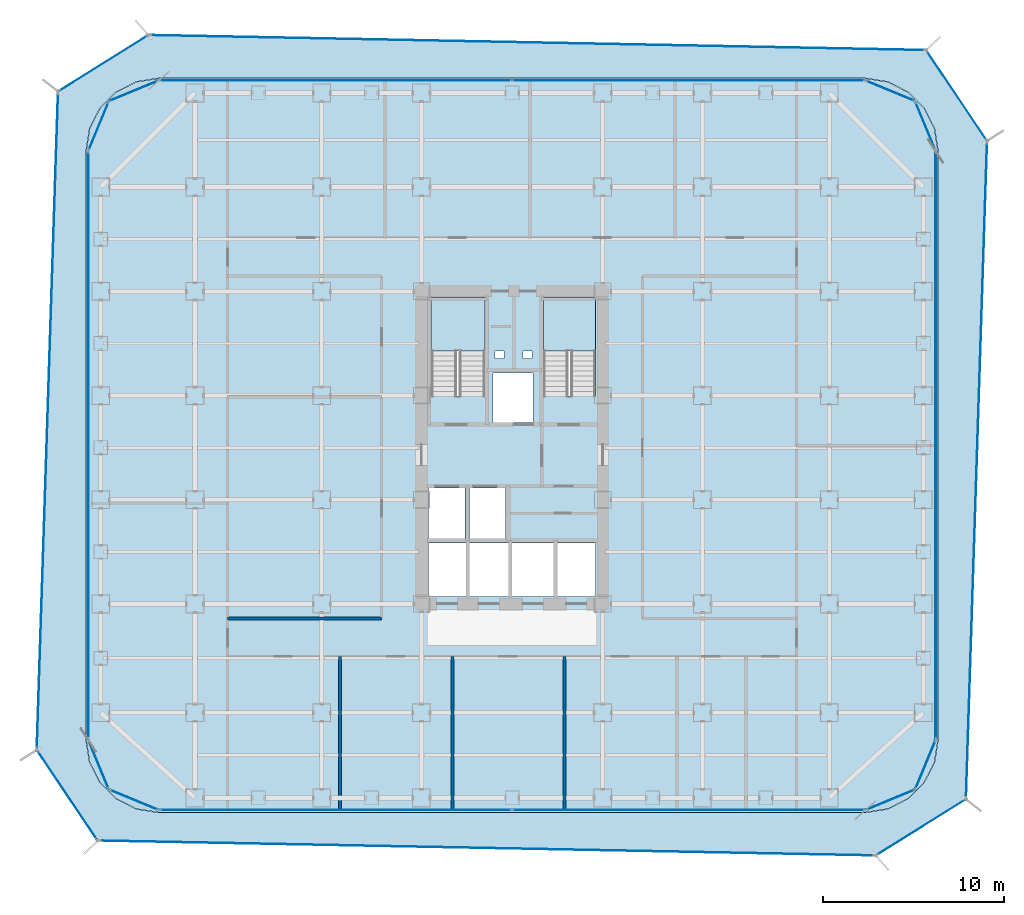
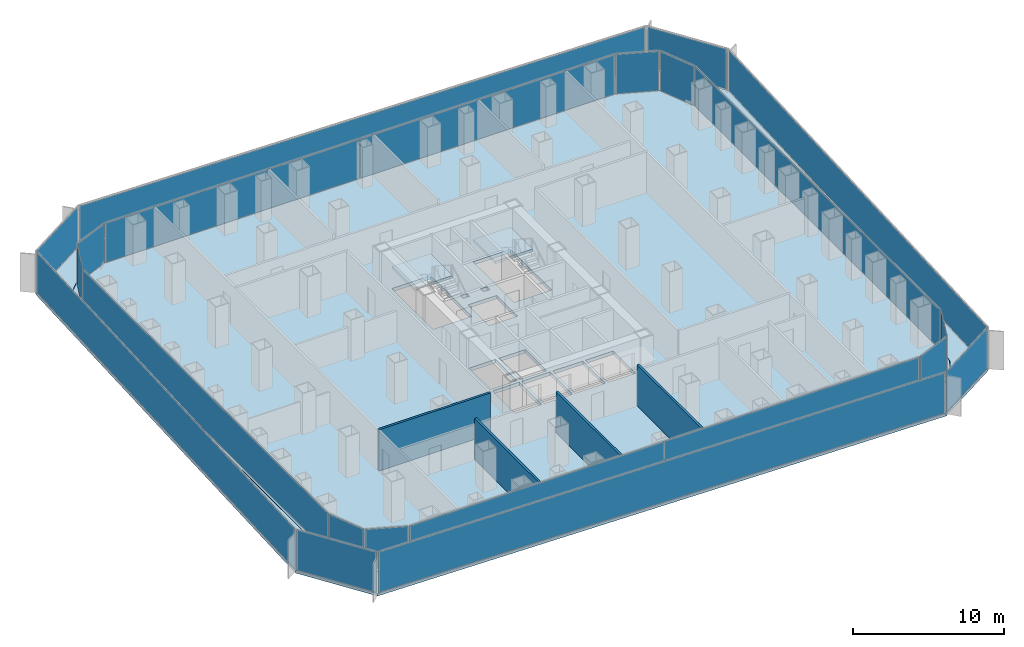
# One storey, part 16 of 22: 22 plates, 4 slabs, 4 walls, 22 elements without a shape of their own.
"""IFC4 building model written with IfcOpenShell, lengths in metres."""

from ifc_helpers import new_model, si_unit, direction, frame, frame_2d, origin, origin_2d, place, context, subcontext, project, spatial, polyline, rectangle, outline, extrude, source, transform, mapped, material, layer, layer_set, type_object, element, aggregate, save


model = new_model("IFC4")

# Units and contexts
model_context = context("Model", 3, precision=1e-05, world=origin(), true_north=direction((0.0, 1.0)))
body_context = subcontext(model_context, "Body", "Model", "MODEL_VIEW")
ifc_project = project(units=[si_unit("LENGTHUNIT", "METRE"), si_unit("AREAUNIT", "SQUARE_METRE"), si_unit("VOLUMEUNIT", "CUBIC_METRE"), si_unit("PLANEANGLEUNIT", "RADIAN"), si_unit("MASSUNIT", "GRAM", prefix="KILO")], contexts=[model_context])

# Site, building, storey
site_placement = place(None, origin())
site = spatial("IfcSite", under=ifc_project, at=site_placement, CompositionType="ELEMENT")
building_placement = place(site_placement, origin())
building = spatial("IfcBuilding", under=site, at=building_placement, Name="Kolveth Station Tower", CompositionType="ELEMENT")
storey_placement = place(building_placement, frame((0.0, 0.0, 69.300048828125)))
storey = spatial("IfcBuildingStorey", under=building, at=storey_placement, Name="L18", CompositionType="ELEMENT", Elevation=69.300048828125)

# Slab
ifc_material_1 = material(Name="Concrete C45/55", Category="concrete")
ifc_layer_1 = layer(ifc_material_1, 0.280029296875)
ifc_layer_set_1 = layer_set([ifc_layer_1], Name="Concrete C45/55")
slab_type_1 = type_object("IfcSlabType", Name="Slab_SF-280", PredefinedType="FLOOR", material=ifc_layer_set_1)
slab_1_placement = place(storey_placement, frame((0.0, 0.0, -0.280029296875)))
element("IfcSlab", 1, at=slab_1_placement, inside=storey, type_object=slab_type_1, Name="L18 Tower Structural Floor Slab", PredefinedType="FLOOR", context=body_context, shape_type="SweptSolid", body=[
    extrude(outline(polyline([(43.0, 0.0), (44.236083984375, 0.19580078125), (45.35107421875, 0.763916015625), (46.236083984375, 1.64892578125), (46.80419921875, 2.763916015625), (47.0, 4.0), (47.0, 36.5), (46.80419921875, 37.736083984375), (46.236083984375, 38.85107421875), (45.35107421875, 39.736083984375), (44.236083984375, 40.30419921875), (43.0, 40.5), (4.0, 40.5), (2.763916015625, 40.30419921875), (1.64892578125, 39.736083984375), (0.763916015625, 38.85107421875), (0.19580078125, 37.736083984375), (0.0, 36.5), (0.0, 4.0), (0.19580078125, 2.763916015625), (0.763916015625, 1.64892578125), (1.64892578125, 0.763916015625), (2.763916015625, 0.19580078125), (4.0, 0.0), (43.0, 0.0)]), holes=[polyline([(19.0400390625, 22.985107421875), (22.0, 22.985107421875), (22.0, 28.39990234375), (19.0400390625, 28.39990234375), (19.0400390625, 22.985107421875)]), polyline([(25.239990234375, 22.985107421875), (28.10009765625, 22.985107421875), (28.10009765625, 28.39990234375), (25.239990234375, 28.39990234375), (25.239990234375, 22.985107421875)]), polyline([(18.89990234375, 15.10009765625), (20.89990234375, 15.10009765625), (20.89990234375, 17.89990234375), (18.89990234375, 17.89990234375), (18.89990234375, 15.10009765625)]), polyline([(21.14990234375, 15.10009765625), (23.14990234375, 15.10009765625), (23.14990234375, 17.89990234375), (21.14990234375, 17.89990234375), (21.14990234375, 15.10009765625)]), polyline([(22.449951171875, 21.5), (24.64990234375, 21.5), (24.64990234375, 24.25), (22.449951171875, 24.25), (22.449951171875, 21.5)]), polyline([(18.89990234375, 11.89990234375), (20.949951171875, 11.89990234375), (20.949951171875, 14.85009765625), (18.89990234375, 14.85009765625), (18.89990234375, 11.89990234375)]), polyline([(21.14990234375, 11.89990234375), (23.300048828125, 11.89990234375), (23.300048828125, 14.85009765625), (21.14990234375, 14.85009765625), (21.14990234375, 11.89990234375)]), polyline([(23.5, 11.89990234375), (25.800048828125, 11.89990234375), (25.800048828125, 14.85009765625), (23.5, 14.85009765625), (23.5, 11.89990234375)]), polyline([(26.0, 11.89990234375), (28.10009765625, 11.89990234375), (28.10009765625, 14.85009765625), (26.0, 14.85009765625), (26.0, 11.89990234375)]), polyline([(22.550048828125, 25.050048828125), (23.050048828125, 25.050048828125), (23.050048828125, 25.449951171875), (22.550048828125, 25.449951171875), (22.550048828125, 25.050048828125)]), polyline([(24.10009765625, 25.050048828125), (24.60009765625, 25.050048828125), (24.60009765625, 25.449951171875), (24.10009765625, 25.449951171875), (24.10009765625, 25.050048828125)])]), origin(), (0.0, 0.0, 1.0), 0.280029296875),
])

# Stair, slab
ifc_material_2 = material(Name="Concrete C40/50", Category="concrete")
stair_type_1 = type_object("IfcStairType", Name="Stair_ST2", PredefinedType="HALF_TURN_STAIR", material=ifc_material_2)
stair_1_placement = place(storey_placement, origin())
stair_1 = element("IfcStair", 2, at=stair_1_placement, inside=storey, type_object=stair_type_1, Name="L18 Tower Exit Stair ST2", PredefinedType="HALF_TURN_STAIR")
ifc_layer_2 = layer(ifc_material_2, 0.18994140625)
ifc_layer_set_2 = layer_set([ifc_layer_2], Name="Concrete C40/50")
slab_type_2 = type_object("IfcSlabType", Name="Slab_SL-190", PredefinedType="LANDING", material=ifc_layer_set_2)
slab_2_placement = place(storey_placement, frame((0.0, 0.0, 1.599853515625)))
slab_2 = element("IfcSlab", 3, at=slab_2_placement, type_object=slab_type_2, Name="ST2 landing 1", PredefinedType="LANDING", context=body_context, shape_type="SweptSolid", body=[
    extrude(outline(polyline([(28.10009765625, 25.469970703125), (28.10009765625, 28.39990234375), (25.239990234375, 28.39990234375), (25.239990234375, 25.469970703125), (28.10009765625, 25.469970703125)])), origin(), (0.0, 0.0, 1.0), 0.2001953125),
])
aggregate(stair_1, [slab_2])

stair_type_2 = type_object("IfcStairType", Name="Stair_ST1", PredefinedType="HALF_TURN_STAIR", material=ifc_material_2)
stair_2_placement = place(storey_placement, origin())
stair_2 = element("IfcStair", 4, at=stair_2_placement, inside=storey, type_object=stair_type_2, Name="L18 Tower Exit Stair ST1", PredefinedType="HALF_TURN_STAIR")
ifc_layer_3 = layer(ifc_material_2, 0.205078125)
ifc_layer_set_3 = layer_set([ifc_layer_3], Name="Concrete C40/50")
slab_type_3 = type_object("IfcSlabType", Name="Slab_SL-205", PredefinedType="LANDING", material=ifc_layer_set_3)
slab_3_placement = place(storey_placement, frame((0.0, 0.0, 1.599853515625)))
slab_3 = element("IfcSlab", 5, at=slab_3_placement, type_object=slab_type_3, Name="ST1 landing 1", PredefinedType="LANDING", context=body_context, shape_type="SweptSolid", body=[
    extrude(outline(polyline([(22.0, 25.469970703125), (22.0, 28.39990234375), (19.0400390625, 28.39990234375), (19.0400390625, 25.469970703125), (22.0, 25.469970703125)])), origin(), (0.0, 0.0, 1.0), 0.2001953125),
])
aggregate(stair_2, [slab_3])

# Slab
ifc_layer_4 = layer(ifc_material_2, 0.2099609375)
ifc_layer_set_4 = layer_set([ifc_layer_4], Name="Concrete C40/50")
slab_type_4 = type_object("IfcSlabType", Name="Slab_ST-210", PredefinedType="FLOOR", material=ifc_layer_set_4)
slab_4_placement = place(storey_placement, frame((0.0, 0.0, -0.2099609375)))
element("IfcSlab", 6, at=slab_4_placement, inside=storey, type_object=slab_type_4, Name="L18 Double-Skin Cavity Structural Ledger Ring", PredefinedType="FLOOR", context=body_context, shape_type="SweptSolid", body=[
    extrude(outline(polyline([(0.642578125, -1.56201171875), (-2.72412109375, 3.448486328125), (-1.549072265625, 39.775390625), (3.431396484375, 42.88916015625), (46.35498046875, 42.05810546875), (49.717529296875, 37.05078125), (48.55078125, 0.723388671875), (43.56787109375, -2.38330078125), (0.642578125, -1.56201171875)]), holes=[polyline([(43.002197265625, -0.014892578125), (44.23828125, 0.180908203125), (44.242919921875, 0.182373046875), (45.35791015625, 0.75048828125), (45.36181640625, 0.75341796875), (46.24658203125, 1.63818359375), (46.24951171875, 1.64208984375), (46.817626953125, 2.757080078125), (46.819091796875, 2.76171875), (47.014892578125, 3.997802734375), (47.014892578125, 4.0), (47.014892578125, 36.5), (47.014892578125, 36.502197265625), (46.819091796875, 37.73828125), (46.817626953125, 37.742919921875), (46.24951171875, 38.85791015625), (46.24658203125, 38.86181640625), (45.36181640625, 39.74658203125), (45.35791015625, 39.74951171875), (44.242919921875, 40.317626953125), (44.23828125, 40.319091796875), (43.002197265625, 40.514892578125), (43.0, 40.514892578125), (4.0, 40.514892578125), (3.997802734375, 40.514892578125), (2.76171875, 40.319091796875), (2.757080078125, 40.317626953125), (1.64208984375, 39.74951171875), (1.63818359375, 39.74658203125), (0.75341796875, 38.86181640625), (0.75048828125, 38.85791015625), (0.182373046875, 37.742919921875), (0.180908203125, 37.73828125), (-0.014892578125, 36.502197265625), (-0.014892578125, 36.5), (-0.014892578125, 4.0), (-0.014892578125, 3.997802734375), (0.180908203125, 2.76171875), (0.182373046875, 2.757080078125), (0.75048828125, 1.64208984375), (0.75341796875, 1.63818359375), (1.63818359375, 0.75341796875), (1.64208984375, 0.75048828125), (2.757080078125, 0.182373046875), (2.76171875, 0.180908203125), (3.997802734375, -0.014892578125), (4.0, -0.014892578125), (43.0, -0.014892578125), (43.002197265625, -0.014892578125)])]), origin(), (0.0, 0.0, 1.0), 0.2099609375),
])

# Curtain wall, plate
ifc_material_3 = material(Name="Aluminium 6063-T6 and low-E dark glass", Category="aluminium")
ifc_layer_5 = layer(ifc_material_3, 0.179931640625)
ifc_layer_set_5 = layer_set([ifc_layer_5], Name="Aluminium 6063-T6 and low-E dark glass")
curtain_wall_type_1 = type_object("IfcCurtainWallType", Name="CurtainWall_CW-Z1", PredefinedType="NOTDEFINED", material=ifc_layer_set_5)
curtain_wall_1_placement = place(storey_placement, origin())
curtain_wall_1 = element("IfcCurtainWall", 7, at=curtain_wall_1_placement, inside=storey, type_object=curtain_wall_type_1, Name="L18 Inner Thermal Curtain Wall 1", PredefinedType="NOTDEFINED")
ifc_material_4 = material(Name="Architectural low-E dark glass", Category="glass")
ifc_layer_6 = layer(ifc_material_4, 0.035888671875)
ifc_layer_set_6 = layer_set([ifc_layer_6], Name="Architectural low-E dark glass")
plate_type_1 = type_object("IfcPlateType", Name="Panel_GL1", PredefinedType="CURTAIN_PANEL", material=ifc_layer_set_6)
shared_shape_1 = source(origin(), body_context, "Body", "SweptSolid", [
    extrude(rectangle(XDim=2.83349609375, YDim=0.035888671875, at=origin_2d()), origin(), (0.0, 0.0, 1.0), 3.18408203125),
])
plate_1_placement = place(storey_placement, frame((44.371826171875, 0.688232421875, 0.06787109375), z_axis=(0.0, 0.0, 1.0), x_axis=(0.923883857728, 0.382672990201, 0.0)))
plate_1 = element("IfcPlate", 8, at=plate_1_placement, type_object=plate_type_1, Name="CW-Z1 panel 1.1", PredefinedType="CURTAIN_PANEL", context=body_context, shape_type="MappedRepresentation", body=[
    mapped(shared_shape_1, transform((0.0, 0.0, 0.0), x_axis=(1.0, 0.0, 0.0), y_axis=(0.0, 1.0, 0.0), z_axis=(0.0, 0.0, 1.0), scale=1.0)),
])
aggregate(curtain_wall_1, [plate_1])

curtain_wall_2_placement = place(storey_placement, origin())
curtain_wall_2 = element("IfcCurtainWall", 9, at=curtain_wall_2_placement, inside=storey, type_object=curtain_wall_type_1, Name="L18 Inner Thermal Curtain Wall 2", PredefinedType="NOTDEFINED")
plate_2_placement = place(storey_placement, frame((46.311767578125, 2.628173828125, 0.06787109375), z_axis=(0.0, 0.0, 1.0), x_axis=(0.382672990201, 0.923883857728, 0.0)))
plate_2 = element("IfcPlate", 10, at=plate_2_placement, type_object=plate_type_1, Name="CW-Z1 panel 1.1", PredefinedType="CURTAIN_PANEL", context=body_context, shape_type="MappedRepresentation", body=[
    mapped(shared_shape_1, transform((0.0, 0.0, 0.0), x_axis=(1.0, 0.0, 0.0), y_axis=(0.0, 1.0, 0.0), z_axis=(0.0, 0.0, 1.0), scale=1.0)),
])
aggregate(curtain_wall_2, [plate_2])

curtain_wall_3_placement = place(storey_placement, origin())
curtain_wall_3 = element("IfcCurtainWall", 11, at=curtain_wall_3_placement, inside=storey, type_object=curtain_wall_type_1, Name="L18 Inner Thermal Curtain Wall 4", PredefinedType="NOTDEFINED")
plate_3_placement = place(storey_placement, frame((46.311767578125, 37.871826171875, 0.06787109375), z_axis=(0.0, 0.0, 1.0), x_axis=(-0.382672990201, 0.923883857728, 0.0)))
plate_3 = element("IfcPlate", 12, at=plate_3_placement, type_object=plate_type_1, Name="CW-Z1 panel 1.1", PredefinedType="CURTAIN_PANEL", context=body_context, shape_type="MappedRepresentation", body=[
    mapped(shared_shape_1, transform((0.0, 0.0, 0.0), x_axis=(1.0, 0.0, 0.0), y_axis=(0.0, 1.0, 0.0), z_axis=(0.0, 0.0, 1.0), scale=1.0)),
])
aggregate(curtain_wall_3, [plate_3])

curtain_wall_4_placement = place(storey_placement, origin())
curtain_wall_4 = element("IfcCurtainWall", 13, at=curtain_wall_4_placement, inside=storey, type_object=curtain_wall_type_1, Name="L18 Inner Thermal Curtain Wall 5", PredefinedType="NOTDEFINED")
plate_4_placement = place(storey_placement, frame((44.371826171875, 39.811767578125, 0.06787109375), z_axis=(0.0, 0.0, 1.0), x_axis=(-0.923883857728, 0.382672990201, 0.0)))
plate_4 = element("IfcPlate", 14, at=plate_4_placement, type_object=plate_type_1, Name="CW-Z1 panel 1.1", PredefinedType="CURTAIN_PANEL", context=body_context, shape_type="MappedRepresentation", body=[
    mapped(shared_shape_1, transform((0.0, 0.0, 0.0), x_axis=(1.0, 0.0, 0.0), y_axis=(0.0, 1.0, 0.0), z_axis=(0.0, 0.0, 1.0), scale=1.0)),
])
aggregate(curtain_wall_4, [plate_4])

curtain_wall_5_placement = place(storey_placement, origin())
curtain_wall_5 = element("IfcCurtainWall", 15, at=curtain_wall_5_placement, inside=storey, type_object=curtain_wall_type_1, Name="L18 Inner Thermal Curtain Wall 7", PredefinedType="NOTDEFINED")
plate_5_placement = place(storey_placement, frame((2.628173828125, 39.811767578125, 0.06787109375), z_axis=(0.0, 0.0, 1.0), x_axis=(-0.923883857728, -0.382672990201, 0.0)))
plate_5 = element("IfcPlate", 16, at=plate_5_placement, type_object=plate_type_1, Name="CW-Z1 panel 1.1", PredefinedType="CURTAIN_PANEL", context=body_context, shape_type="MappedRepresentation", body=[
    mapped(shared_shape_1, transform((0.0, 0.0, 0.0), x_axis=(1.0, 0.0, 0.0), y_axis=(0.0, 1.0, 0.0), z_axis=(0.0, 0.0, 1.0), scale=1.0)),
])
aggregate(curtain_wall_5, [plate_5])

curtain_wall_6_placement = place(storey_placement, origin())
curtain_wall_6 = element("IfcCurtainWall", 17, at=curtain_wall_6_placement, inside=storey, type_object=curtain_wall_type_1, Name="L18 Inner Thermal Curtain Wall 8", PredefinedType="NOTDEFINED")
plate_6_placement = place(storey_placement, frame((0.688232421875, 37.871826171875, 0.06787109375), z_axis=(0.0, 0.0, 1.0), x_axis=(-0.382672990201, -0.923883857728, 0.0)))
plate_6 = element("IfcPlate", 18, at=plate_6_placement, type_object=plate_type_1, Name="CW-Z1 panel 1.1", PredefinedType="CURTAIN_PANEL", context=body_context, shape_type="MappedRepresentation", body=[
    mapped(shared_shape_1, transform((0.0, 0.0, 0.0), x_axis=(1.0, 0.0, 0.0), y_axis=(0.0, 1.0, 0.0), z_axis=(0.0, 0.0, 1.0), scale=1.0)),
])
aggregate(curtain_wall_6, [plate_6])

curtain_wall_7_placement = place(storey_placement, origin())
curtain_wall_7 = element("IfcCurtainWall", 19, at=curtain_wall_7_placement, inside=storey, type_object=curtain_wall_type_1, Name="L18 Inner Thermal Curtain Wall 10", PredefinedType="NOTDEFINED")
plate_7_placement = place(storey_placement, frame((0.688232421875, 2.628173828125, 0.06787109375), z_axis=(0.0, 0.0, 1.0), x_axis=(0.382672990201, -0.923883857728, 0.0)))
plate_7 = element("IfcPlate", 20, at=plate_7_placement, type_object=plate_type_1, Name="CW-Z1 panel 1.1", PredefinedType="CURTAIN_PANEL", context=body_context, shape_type="MappedRepresentation", body=[
    mapped(shared_shape_1, transform((0.0, 0.0, 0.0), x_axis=(1.0, 0.0, 0.0), y_axis=(0.0, 1.0, 0.0), z_axis=(0.0, 0.0, 1.0), scale=1.0)),
])
aggregate(curtain_wall_7, [plate_7])

curtain_wall_8_placement = place(storey_placement, origin())
curtain_wall_8 = element("IfcCurtainWall", 21, at=curtain_wall_8_placement, inside=storey, type_object=curtain_wall_type_1, Name="L18 Inner Thermal Curtain Wall 11", PredefinedType="NOTDEFINED")
plate_8_placement = place(storey_placement, frame((2.628173828125, 0.688232421875, 0.06787109375), z_axis=(0.0, 0.0, 1.0), x_axis=(0.923883857728, -0.382672990201, 0.0)))
plate_8 = element("IfcPlate", 22, at=plate_8_placement, type_object=plate_type_1, Name="CW-Z1 panel 1.1", PredefinedType="CURTAIN_PANEL", context=body_context, shape_type="MappedRepresentation", body=[
    mapped(shared_shape_1, transform((0.0, 0.0, 0.0), x_axis=(1.0, 0.0, 0.0), y_axis=(0.0, 1.0, 0.0), z_axis=(0.0, 0.0, 1.0), scale=1.0)),
])
aggregate(curtain_wall_8, [plate_8])

curtain_wall_9_placement = place(storey_placement, origin())
curtain_wall_9 = element("IfcCurtainWall", 23, at=curtain_wall_9_placement, inside=storey, type_object=curtain_wall_type_1, Name="L18 Inner Thermal Curtain Wall 3", PredefinedType="NOTDEFINED")
shared_shape_2 = source(origin(), body_context, "Body", "SweptSolid", [
    extrude(rectangle(XDim=32.364013671875, YDim=0.035888671875, at=origin_2d()), origin(), (0.0, 0.0, 1.0), 3.18408203125),
])
plate_9_placement = place(storey_placement, frame((46.8798828125, 20.25, 0.06787109375), z_axis=(0.0, 0.0, 1.0), x_axis=(0.0, 1.0, 0.0)))
plate_9 = element("IfcPlate", 24, at=plate_9_placement, type_object=plate_type_1, Name="CW-Z1 panel 1.1", PredefinedType="CURTAIN_PANEL", context=body_context, shape_type="MappedRepresentation", body=[
    mapped(shared_shape_2, transform((0.0, 0.0, 0.0), x_axis=(1.0, 0.0, 0.0), y_axis=(0.0, 1.0, 0.0), z_axis=(0.0, 0.0, 1.0), scale=1.0)),
])
aggregate(curtain_wall_9, [plate_9])

curtain_wall_10_placement = place(storey_placement, origin())
curtain_wall_10 = element("IfcCurtainWall", 25, at=curtain_wall_10_placement, inside=storey, type_object=curtain_wall_type_1, Name="L18 Inner Thermal Curtain Wall 9", PredefinedType="NOTDEFINED")
plate_10_placement = place(storey_placement, frame((0.1201171875, 20.25, 0.06787109375), z_axis=(0.0, 0.0, 1.0), x_axis=(0.0, -1.0, 0.0)))
plate_10 = element("IfcPlate", 26, at=plate_10_placement, type_object=plate_type_1, Name="CW-Z1 panel 1.1", PredefinedType="CURTAIN_PANEL", context=body_context, shape_type="MappedRepresentation", body=[
    mapped(shared_shape_2, transform((0.0, 0.0, 0.0), x_axis=(1.0, 0.0, 0.0), y_axis=(0.0, 1.0, 0.0), z_axis=(0.0, 0.0, 1.0), scale=1.0)),
])
aggregate(curtain_wall_10, [plate_10])

# Curtain wall, plates
curtain_wall_11_placement = place(storey_placement, origin())
curtain_wall_11 = element("IfcCurtainWall", 27, at=curtain_wall_11_placement, inside=storey, type_object=curtain_wall_type_1, Name="L18 Inner Thermal Curtain Wall 6", PredefinedType="NOTDEFINED")
shared_shape_3 = source(origin(), body_context, "Body", "SweptSolid", [
    extrude(rectangle(XDim=19.401611328125, YDim=0.035888671875, at=origin_2d()), origin(), (0.0, 0.0, 1.0), 3.18408203125),
])
plate_11_placement = place(storey_placement, frame((33.231201171875, 40.3798828125, 0.06787109375), z_axis=(0.0, 0.0, 1.0), x_axis=(-1.0, 0.0, 0.0)))
plate_11 = element("IfcPlate", 28, at=plate_11_placement, type_object=plate_type_1, Name="CW-Z1 panel 1.1", PredefinedType="CURTAIN_PANEL", context=body_context, shape_type="MappedRepresentation", body=[
    mapped(shared_shape_3, transform((0.0, 0.0, 0.0), x_axis=(1.0, 0.0, 0.0), y_axis=(0.0, 1.0, 0.0), z_axis=(0.0, 0.0, 1.0), scale=1.0)),
])
plate_12_placement = place(storey_placement, frame((13.768798828125, 40.3798828125, 0.06787109375), z_axis=(0.0, 0.0, 1.0), x_axis=(-1.0, 0.0, 0.0)))
plate_12 = element("IfcPlate", 29, at=plate_12_placement, type_object=plate_type_1, Name="CW-Z1 panel 2.1", PredefinedType="CURTAIN_PANEL", context=body_context, shape_type="MappedRepresentation", body=[
    mapped(shared_shape_3, transform((0.0, 0.0, 0.0), x_axis=(1.0, 0.0, 0.0), y_axis=(0.0, 1.0, 0.0), z_axis=(0.0, 0.0, 1.0), scale=1.0)),
])
aggregate(curtain_wall_11, [plate_11, plate_12])

curtain_wall_12_placement = place(storey_placement, origin())
curtain_wall_12 = element("IfcCurtainWall", 30, at=curtain_wall_12_placement, inside=storey, type_object=curtain_wall_type_1, Name="L18 Inner Thermal Curtain Wall 12", PredefinedType="NOTDEFINED")
plate_13_placement = place(storey_placement, frame((13.768798828125, 0.1201171875, 0.06787109375), z_axis=(0.0, 0.0, 1.0), x_axis=(1.0, 0.0, 0.0)))
plate_13 = element("IfcPlate", 31, at=plate_13_placement, type_object=plate_type_1, Name="CW-Z1 panel 1.1", PredefinedType="CURTAIN_PANEL", context=body_context, shape_type="MappedRepresentation", body=[
    mapped(shared_shape_3, transform((0.0, 0.0, 0.0), x_axis=(1.0, 0.0, 0.0), y_axis=(0.0, 1.0, 0.0), z_axis=(0.0, 0.0, 1.0), scale=1.0)),
])
plate_14_placement = place(storey_placement, frame((33.231201171875, 0.1201171875, 0.06787109375), z_axis=(0.0, 0.0, 1.0), x_axis=(1.0, 0.0, 0.0)))
plate_14 = element("IfcPlate", 32, at=plate_14_placement, type_object=plate_type_1, Name="CW-Z1 panel 2.1", PredefinedType="CURTAIN_PANEL", context=body_context, shape_type="MappedRepresentation", body=[
    mapped(shared_shape_3, transform((0.0, 0.0, 0.0), x_axis=(1.0, 0.0, 0.0), y_axis=(0.0, 1.0, 0.0), z_axis=(0.0, 0.0, 1.0), scale=1.0)),
])
aggregate(curtain_wall_12, [plate_13, plate_14])

# Curtain wall, plate
ifc_material_5 = material(Name="Black anodized aluminium 6063-T6 and dark solar glass", Category="aluminium")
ifc_layer_7 = layer(ifc_material_5, 0.159912109375)
ifc_layer_set_7 = layer_set([ifc_layer_7], Name="Black anodized aluminium 6063-T6 and dark solar glass")
curtain_wall_type_2 = type_object("IfcCurtainWallType", Name="OUTER SKIN CW-OS", PredefinedType="NOTDEFINED", material=ifc_layer_set_7)
curtain_wall_13_placement = place(storey_placement, origin())
curtain_wall_13 = element("IfcCurtainWall", 33, at=curtain_wall_13_placement, inside=storey, type_object=curtain_wall_type_2, Name="L18 Outer Ventilated Skin Curtain Wall 1", PredefinedType="NOTDEFINED")
ifc_layer_8 = layer(ifc_material_4, 0.028076171875)
ifc_layer_set_8 = layer_set([ifc_layer_8], Name="Architectural low-E dark glass")
plate_type_2 = type_object("IfcPlateType", Name="Panel_GL-OS", PredefinedType="CURTAIN_PANEL", material=ifc_layer_set_8)
shared_shape_4 = source(origin(), body_context, "Body", "SweptSolid", [
    extrude(rectangle(XDim=5.7060546875, YDim=0.028076171875, at=origin_2d()), origin(), (0.0, 0.0, 1.0), 3.243896484375),
])
plate_15_placement = place(storey_placement, frame((46.059326171875, -0.829833984375, 0.0732421875), z_axis=(0.0, 0.0, 1.0), x_axis=(0.848572796434, 0.529078641746, 0.0)))
plate_15 = element("IfcPlate", 34, at=plate_15_placement, type_object=plate_type_2, Name="CW-OS panel 1.1", PredefinedType="CURTAIN_PANEL", context=body_context, shape_type="MappedRepresentation", body=[
    mapped(shared_shape_4, transform((0.0, 0.0, 0.0), x_axis=(1.0, 0.0, 0.0), y_axis=(0.0, 1.0, 0.0), z_axis=(0.0, 0.0, 1.0), scale=1.0)),
])
aggregate(curtain_wall_13, [plate_15])

curtain_wall_14_placement = place(storey_placement, origin())
curtain_wall_14 = element("IfcCurtainWall", 35, at=curtain_wall_14_placement, inside=storey, type_object=curtain_wall_type_2, Name="L18 Outer Ventilated Skin Curtain Wall 2", PredefinedType="NOTDEFINED")
shared_shape_5 = source(origin(), body_context, "Body", "SweptSolid", [
    extrude(rectangle(XDim=36.179931640625, YDim=0.028076171875, at=origin_2d()), origin(), (0.0, 0.0, 1.0), 3.243896484375),
])
plate_16_placement = place(storey_placement, frame((49.134033203125, 18.88720703125, 0.0732421875), z_axis=(0.0, 0.0, 1.0), x_axis=(0.032099879983, 0.999484666068, 0.0)))
plate_16 = element("IfcPlate", 36, at=plate_16_placement, type_object=plate_type_2, Name="CW-OS panel 1.1", PredefinedType="CURTAIN_PANEL", context=body_context, shape_type="MappedRepresentation", body=[
    mapped(shared_shape_5, transform((0.0, 0.0, 0.0), x_axis=(1.0, 0.0, 0.0), y_axis=(0.0, 1.0, 0.0), z_axis=(0.0, 0.0, 1.0), scale=1.0)),
])
aggregate(curtain_wall_14, [plate_16])

curtain_wall_15_placement = place(storey_placement, origin())
curtain_wall_15 = element("IfcCurtainWall", 37, at=curtain_wall_15_placement, inside=storey, type_object=curtain_wall_type_2, Name="L18 Outer Ventilated Skin Curtain Wall 3", PredefinedType="NOTDEFINED")
shared_shape_6 = source(origin(), body_context, "Body", "SweptSolid", [
    extrude(rectangle(XDim=5.865478515625, YDim=0.028076171875, at=origin_2d()), origin(), (0.0, 0.0, 1.0), 3.243896484375),
])
plate_17_placement = place(storey_placement, frame((48.036376953125, 39.554443359375, 0.0732421875), z_axis=(0.0, 0.0, 1.0), x_axis=(-0.557474837618, 0.830193836055, 0.0)))
plate_17 = element("IfcPlate", 38, at=plate_17_placement, type_object=plate_type_2, Name="CW-OS panel 1.1", PredefinedType="CURTAIN_PANEL", context=body_context, shape_type="MappedRepresentation", body=[
    mapped(shared_shape_6, transform((0.0, 0.0, 0.0), x_axis=(1.0, 0.0, 0.0), y_axis=(0.0, 1.0, 0.0), z_axis=(0.0, 0.0, 1.0), scale=1.0)),
])
aggregate(curtain_wall_15, [plate_17])

curtain_wall_16_placement = place(storey_placement, origin())
curtain_wall_16 = element("IfcCurtainWall", 39, at=curtain_wall_16_placement, inside=storey, type_object=curtain_wall_type_2, Name="L18 Outer Ventilated Skin Curtain Wall 4", PredefinedType="NOTDEFINED")
shared_shape_7 = source(origin(), body_context, "Body", "SweptSolid", [
    extrude(rectangle(XDim=42.765869140625, YDim=0.028076171875, at=origin_2d()), origin(), (0.0, 0.0, 1.0), 3.243896484375),
])
plate_18_placement = place(storey_placement, frame((24.893310546875, 42.4736328125, 0.0732421875), z_axis=(0.0, 0.0, 1.0), x_axis=(-0.999812559848, 0.019360918643, 0.0)))
plate_18 = element("IfcPlate", 40, at=plate_18_placement, type_object=plate_type_2, Name="CW-OS panel 1.1", PredefinedType="CURTAIN_PANEL", context=body_context, shape_type="MappedRepresentation", body=[
    mapped(shared_shape_7, transform((0.0, 0.0, 0.0), x_axis=(1.0, 0.0, 0.0), y_axis=(0.0, 1.0, 0.0), z_axis=(0.0, 0.0, 1.0), scale=1.0)),
])
aggregate(curtain_wall_16, [plate_18])

curtain_wall_17_placement = place(storey_placement, origin())
curtain_wall_17 = element("IfcCurtainWall", 41, at=curtain_wall_17_placement, inside=storey, type_object=curtain_wall_type_2, Name="L18 Outer Ventilated Skin Curtain Wall 5", PredefinedType="NOTDEFINED")
shared_shape_8 = source(origin(), body_context, "Body", "SweptSolid", [
    extrude(rectangle(XDim=5.70751953125, YDim=0.028076171875, at=origin_2d()), origin(), (0.0, 0.0, 1.0), 3.243896484375),
])
plate_19_placement = place(storey_placement, frame((0.941162109375, 41.332275390625, 0.0732421875), z_axis=(0.0, 0.0, 1.0), x_axis=(-0.847920819368, -0.530122895263, 0.0)))
plate_19 = element("IfcPlate", 42, at=plate_19_placement, type_object=plate_type_2, Name="CW-OS panel 1.1", PredefinedType="CURTAIN_PANEL", context=body_context, shape_type="MappedRepresentation", body=[
    mapped(shared_shape_8, transform((0.0, 0.0, 0.0), x_axis=(1.0, 0.0, 0.0), y_axis=(0.0, 1.0, 0.0), z_axis=(0.0, 0.0, 1.0), scale=1.0)),
])
aggregate(curtain_wall_17, [plate_19])

curtain_wall_18_placement = place(storey_placement, origin())
curtain_wall_18 = element("IfcCurtainWall", 43, at=curtain_wall_18_placement, inside=storey, type_object=curtain_wall_type_2, Name="L18 Outer Ventilated Skin Curtain Wall 6", PredefinedType="NOTDEFINED")
shared_shape_9 = source(origin(), body_context, "Body", "SweptSolid", [
    extrude(rectangle(XDim=36.18017578125, YDim=0.028076171875, at=origin_2d()), origin(), (0.0, 0.0, 1.0), 3.243896484375),
])
plate_20_placement = place(storey_placement, frame((-2.13671875, 21.612060546875, 0.0732421875), z_axis=(0.0, 0.0, 1.0), x_axis=(-0.032333589159, -0.999477132811, 0.0)))
plate_20 = element("IfcPlate", 44, at=plate_20_placement, type_object=plate_type_2, Name="CW-OS panel 1.1", PredefinedType="CURTAIN_PANEL", context=body_context, shape_type="MappedRepresentation", body=[
    mapped(shared_shape_9, transform((0.0, 0.0, 0.0), x_axis=(1.0, 0.0, 0.0), y_axis=(0.0, 1.0, 0.0), z_axis=(0.0, 0.0, 1.0), scale=1.0)),
])
aggregate(curtain_wall_18, [plate_20])

curtain_wall_19_placement = place(storey_placement, origin())
curtain_wall_19 = element("IfcCurtainWall", 45, at=curtain_wall_19_placement, inside=storey, type_object=curtain_wall_type_2, Name="L18 Outer Ventilated Skin Curtain Wall 7", PredefinedType="NOTDEFINED")
shared_shape_10 = source(origin(), body_context, "Body", "SweptSolid", [
    extrude(rectangle(XDim=5.87060546875, YDim=0.028076171875, at=origin_2d()), origin(), (0.0, 0.0, 1.0), 3.243896484375),
])
plate_21_placement = place(storey_placement, frame((-1.040771484375, 0.943115234375, 0.0732421875), z_axis=(0.0, 0.0, 1.0), x_axis=(0.557720426681, -0.830028870379, 0.0)))
plate_21 = element("IfcPlate", 46, at=plate_21_placement, type_object=plate_type_2, Name="CW-OS panel 1.1", PredefinedType="CURTAIN_PANEL", context=body_context, shape_type="MappedRepresentation", body=[
    mapped(shared_shape_10, transform((0.0, 0.0, 0.0), x_axis=(1.0, 0.0, 0.0), y_axis=(0.0, 1.0, 0.0), z_axis=(0.0, 0.0, 1.0), scale=1.0)),
])
aggregate(curtain_wall_19, [plate_21])

curtain_wall_20_placement = place(storey_placement, origin())
curtain_wall_20 = element("IfcCurtainWall", 47, at=curtain_wall_20_placement, inside=storey, type_object=curtain_wall_type_2, Name="L18 Outer Ventilated Skin Curtain Wall 8", PredefinedType="NOTDEFINED")
shared_shape_11 = source(origin(), body_context, "Body", "SweptSolid", [
    extrude(rectangle(XDim=42.767333984375, YDim=0.028076171875, at=origin_2d()), origin(), (0.0, 0.0, 1.0), 3.243896484375),
])
plate_22_placement = place(storey_placement, frame((22.105224609375, -1.97265625, 0.0732421875), z_axis=(0.0, 0.0, 1.0), x_axis=(0.999817055232, -0.019127364348, 0.0)))
plate_22 = element("IfcPlate", 48, at=plate_22_placement, type_object=plate_type_2, Name="CW-OS panel 1.1", PredefinedType="CURTAIN_PANEL", context=body_context, shape_type="MappedRepresentation", body=[
    mapped(shared_shape_11, transform((0.0, 0.0, 0.0), x_axis=(1.0, 0.0, 0.0), y_axis=(0.0, 1.0, 0.0), z_axis=(0.0, 0.0, 1.0), scale=1.0)),
])
aggregate(curtain_wall_20, [plate_22])

# Walls
ifc_material_6 = material(Name="Acoustic double-stud gypsum partition")
ifc_layer_9 = layer(ifc_material_6, 0.1650390625)
ifc_layer_set_9 = layer_set([ifc_layer_9], Name="Acoustic double-stud gypsum partition")
wall_type = type_object("IfcWallType", Name="Wall_IW-165", PredefinedType="PARTITIONING", material=ifc_layer_set_9)
wall_placement = place(storey_placement, frame((7.800048828125, 10.699951171875, 0.0), z_axis=(0.0, 0.0, 1.0), x_axis=(1.0, 0.0, 0.0)))
element("IfcWall", 49, at=wall_placement, inside=storey, type_object=wall_type, Name="L18 Partition Wall WL-L18-OSWT", PredefinedType="PARTITIONING", context=body_context, shape_type="SweptSolid", body=[
    extrude(rectangle(XDim=8.5, YDim=0.1650390625, at=frame_2d((4.25, 0.0))), origin(), (0.0, 0.0, 1.0), 3.320068359375),
])
for number, where, z_axis, x_axis, name in (
    (50, (14.0, 0.159912109375, 0.0), (0.0, 0.0, 1.0), (0.0, 1.0, 0.0), "L18 Partition Wall WL-L18-OS-P1"),
    (51, (20.199951171875, 0.159912109375, 0.0), (0.0, 0.0, 1.0), (0.0, 1.0, 0.0), "L18 Partition Wall WL-L18-OS-P2"),
    (52, (26.39990234375, 0.159912109375, 0.0), (0.0, 0.0, 1.0), (0.0, 1.0, 0.0), "L18 Partition Wall WL-L18-OS-P3"),
):
    element("IfcWall", number, at=place(storey_placement, frame(where, z_axis=z_axis, x_axis=x_axis)), inside=storey, type_object=wall_type, Name=name, PredefinedType="PARTITIONING", context=body_context, shape_type="SweptSolid", body=[
        extrude(rectangle(XDim=8.440185546875, YDim=0.1650390625, at=frame_2d((4.22021484375, 0.0))), origin(), (0.0, 0.0, 1.0), 3.320068359375),
    ])

save(model, "model.ifc")
